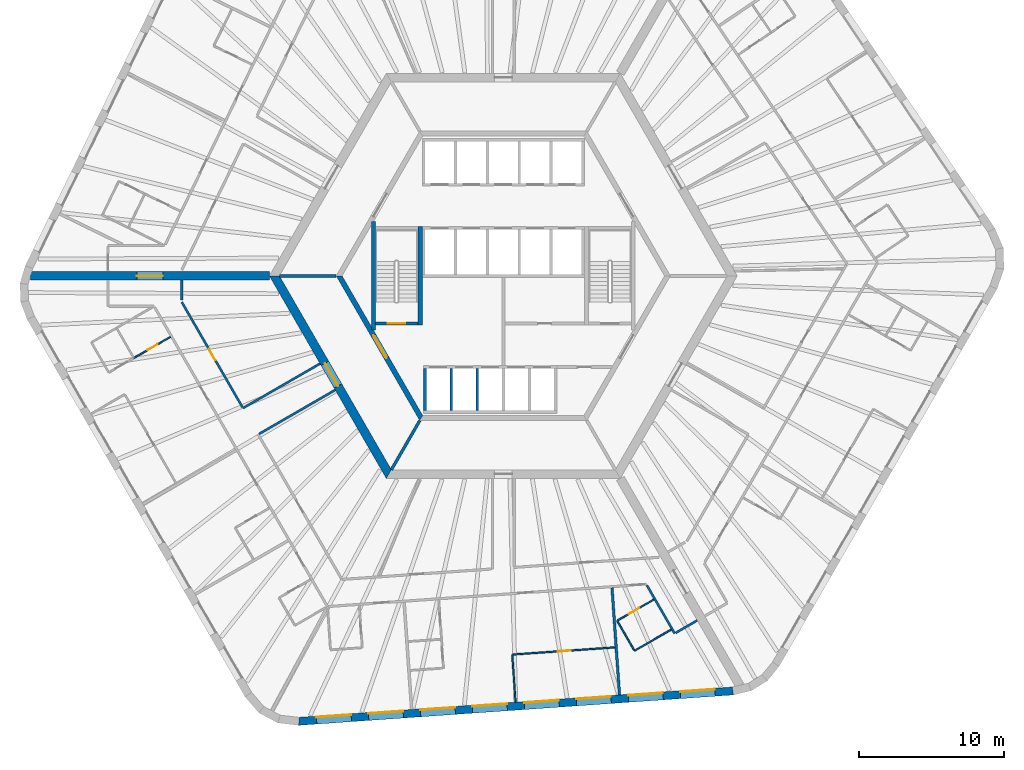
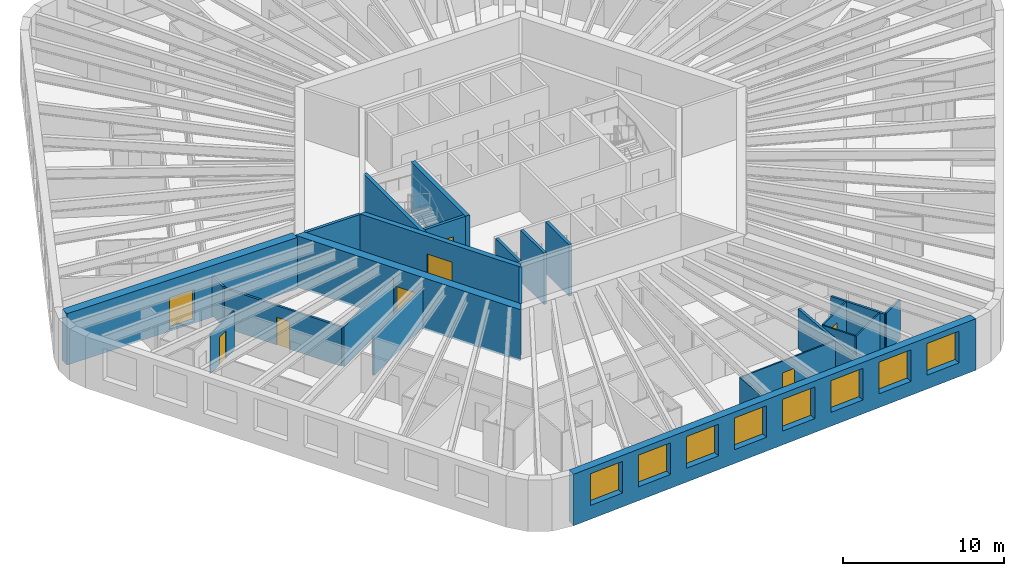
# One storey, part 4 of 12: 25 walls, 8 doors, 8 windows, 16 openings.
"""IFC4 building model written with IfcOpenShell, lengths in metres."""

import ifcopenshell
import ifcopenshell.guid

model = None  # the IFC model being written
_history = None  # IfcOwnerHistory: only IFC2X3 demands one
_inside = {}  # id of a spatial element -> (the spatial element, [elements in it])
_under = {}  # id of a project, library or spatial element -> (it, [spatial elements below it])
_declared = {}  # id of a project -> (the project, [libraries it declares])
_typed = {}  # id of a type object -> (the type object, [elements of that type])
_made_of = {}  # id of a material, layer set ... -> (it, [elements and type objects made of it])


def new_model(schema):
    """Start an empty IFC model of exactly this schema.

    Asked for "IFC4X3", IfcOpenShell would pick the latest addendum, in which some entities
    have other attributes; the version numbers below select the first issue.
    IFC2X3 requires an IfcOwnerHistory on every rooted entity: one is made here for all.
    """
    global model, _history
    if schema == "IFC4X3":
        model = ifcopenshell.file(schema_version=(4, 3, 0, 0))
    else:
        model = ifcopenshell.file(schema=schema)
    _inside.clear()
    _under.clear()
    _declared.clear()
    _typed.clear()
    _made_of.clear()
    _history = None
    if model.schema == "IFC2X3":
        org = make("IfcOrganization", Name="unknown")
        user = make(
            "IfcPersonAndOrganization",
            ThePerson=make("IfcPerson", FamilyName="unknown"),
            TheOrganization=org,
        )
        app = make(
            "IfcApplication",
            ApplicationDeveloper=org,
            Version="unknown",
            ApplicationFullName="unknown",
            ApplicationIdentifier="unknown",
        )
        _history = make(
            "IfcOwnerHistory",
            OwningUser=user,
            OwningApplication=app,
            ChangeAction="ADDED",
            CreationDate=0,
        )
    return model


def make(cls, **values):
    """One entity of the class cls with the attributes given. An attribute that is None is left unset."""
    return model.create_entity(
        cls, **{name: value for name, value in values.items() if value is not None}
    )


def rooted(cls, **values):
    """An entity with a GlobalId (a new one), such as an element, a storey or a relation."""
    return make(cls, GlobalId=ifcopenshell.guid.new(), OwnerHistory=_history, **values)


def si_unit(unit_type, name, prefix=None):
    """IfcSIUnit, for example si_unit("LENGTHUNIT", "METRE", prefix="MILLI")."""
    return make("IfcSIUnit", UnitType=unit_type, Prefix=prefix, Name=name)


def assignment(units):
    """IfcUnitAssignment: the units of a project."""
    return None if units is None else make("IfcUnitAssignment", Units=units)


def point(xyz):
    """IfcCartesianPoint."""
    return None if xyz is None else make("IfcCartesianPoint", Coordinates=xyz)


def direction(xyz):
    """IfcDirection."""
    return None if xyz is None else make("IfcDirection", DirectionRatios=xyz)


def frame(location, z_axis=None, x_axis=None):
    """IfcAxis2Placement3D, a coordinate frame: its origin and axes. An axis left out is left unset."""
    return make(
        "IfcAxis2Placement3D",
        Location=point(location),
        Axis=direction(z_axis),
        RefDirection=direction(x_axis),
    )


def frame_2d(location, x_axis=None):
    """IfcAxis2Placement2D, a coordinate frame in the plane: its origin and x axis."""
    return make(
        "IfcAxis2Placement2D", Location=point(location), RefDirection=direction(x_axis)
    )


def origin():
    """The frame at (0, 0, 0) with its axes left unset."""
    return frame((0.0, 0.0, 0.0))


def place(relative_to, where):
    """IfcLocalPlacement: puts the frame where relative to a parent placement (None: the world)."""
    return make(
        "IfcLocalPlacement", PlacementRelTo=relative_to, RelativePlacement=where
    )


def context(
    kind, dimensions, precision=None, world=None, true_north=None, identifier=None
):
    """IfcGeometricRepresentationContext, for example the 3D "Model" context."""
    return make(
        "IfcGeometricRepresentationContext",
        ContextIdentifier=identifier,
        ContextType=kind,
        CoordinateSpaceDimension=dimensions,
        Precision=precision,
        WorldCoordinateSystem=world,
        TrueNorth=true_north,
    )


def subcontext(parent, identifier, kind, view, scale=None):
    """IfcGeometricRepresentationSubContext, for example "Body" below "Model"."""
    return make(
        "IfcGeometricRepresentationSubContext",
        ContextIdentifier=identifier,
        ContextType=kind,
        ParentContext=parent,
        TargetScale=scale,
        TargetView=view,
    )


def project(units=None, contexts=None):
    """IfcProject with its units and contexts."""
    return rooted(
        "IfcProject",
        Name="project",
        RepresentationContexts=contexts,
        UnitsInContext=assignment(units),
    )


def spatial(cls, under=None, at=None, **own):
    """A site, building, storey or space (cls), placed at a placement, below another one or the project."""
    s = rooted(cls, ObjectPlacement=at, **own)
    if under is not None:
        _under.setdefault(under.id(), (under, []))[1].append(s)
    return s


def polyline(points):
    """IfcPolyline through the points."""
    return make("IfcPolyline", Points=[point(p) for p in points])


def profile(cls, at=None, kind="AREA", **sizes):
    """A parametric profile (cls). Its sizes go by their IFC names, for example OverallWidth=200.0."""
    return make(cls, ProfileType=kind, Position=at, **sizes)


def rectangle(**sizes):
    """IfcRectangleProfileDef."""
    return profile("IfcRectangleProfileDef", **sizes)


def outline(outer, holes=None, kind="AREA"):
    """IfcArbitraryClosedProfileDef: a profile drawn as a closed curve; with holes, ...WithVoids."""
    if holes is None:
        return make("IfcArbitraryClosedProfileDef", ProfileType=kind, OuterCurve=outer)
    return make(
        "IfcArbitraryProfileDefWithVoids",
        ProfileType=kind,
        OuterCurve=outer,
        InnerCurves=holes,
    )


def extrude(swept, where, along, depth):
    """IfcExtrudedAreaSolid: the profile swept, set in the frame where, extruded along a direction by depth."""
    return make(
        "IfcExtrudedAreaSolid",
        SweptArea=swept,
        Position=where,
        ExtrudedDirection=direction(along),
        Depth=depth,
    )


def shape(context_of_items, identifier, shape_type, items):
    """IfcShapeRepresentation: the items that make up one representation, for example the "Body"."""
    return make(
        "IfcShapeRepresentation",
        ContextOfItems=context_of_items,
        RepresentationIdentifier=identifier,
        RepresentationType=shape_type,
        Items=items,
    )


def material(Name=None, Category=None):
    """IfcMaterial."""
    return make("IfcMaterial", Name=Name, Category=Category)


def layer(
    of_material, thickness, ventilated=None, Name=None, Category=None, Priority=None
):
    """IfcMaterialLayer: one layer of a wall or slab, of a material (None: an air gap)."""
    return make(
        "IfcMaterialLayer",
        Material=of_material,
        LayerThickness=thickness,
        IsVentilated=ventilated,
        Name=Name,
        Category=Category,
        Priority=Priority,
    )


def layer_set(layers, Name=None):
    """IfcMaterialLayerSet."""
    return make("IfcMaterialLayerSet", MaterialLayers=layers, LayerSetName=Name)


def made_of(thing, what):
    """Note that an element or type object is made of a material, layer set ...; save() writes the relation."""
    if what is not None:
        _made_of.setdefault(what.id(), (what, []))[1].append(thing)
    return thing


def type_object(cls, material=None, **own):
    """A type object (cls), such as IfcWallType, which elements share."""
    return made_of(rooted(cls, **own), material)


def element(
    cls,
    number,
    at=None,
    inside=None,
    cuts=None,
    type_object=None,
    material=None,
    context=None,
    identifier="Body",
    shape_type=None,
    held_by="IfcProductDefinitionShape",
    body=None,
    shapes=None,
    **own,
):
    """One element of the class cls, such as IfcWall. Its Tag is "e" and its number.

    at: its placement. inside: the storey or other place that contains it. cuts: it is an
    opening in that element (IfcRelVoidsElement). A single representation is given by context,
    identifier, shape_type and body (its items); several are given by shapes. held_by: the class
    of the entity that holds the representations. save() writes the other relations.
    """
    e = rooted(cls, Tag="e%d" % number, ObjectPlacement=at, **own)
    if body is not None:
        shapes = [shape(context, identifier, shape_type, body)]
    if shapes is not None:
        e.Representation = make(held_by, Representations=shapes)
    if inside is not None:
        _inside.setdefault(inside.id(), (inside, []))[1].append(e)
    if cuts is not None:
        rooted(
            "IfcRelVoidsElement", RelatingBuildingElement=cuts, RelatedOpeningElement=e
        )
    if type_object is not None:
        _typed.setdefault(type_object.id(), (type_object, []))[1].append(e)
    return made_of(e, material)


def fill(opening, filler):
    """IfcRelFillsElement: the door or window that sits in an opening."""
    return rooted(
        "IfcRelFillsElement",
        RelatingOpeningElement=opening,
        RelatedBuildingElement=filler,
    )


def aggregate(whole, parts):
    """IfcRelAggregates: a whole, such as a stair, and the parts it consists of."""
    return rooted("IfcRelAggregates", RelatingObject=whole, RelatedObjects=parts)


def save(model, path):
    """Write the relations noted so far, then the file.

    IfcRelAggregates (storeys below a building ...), IfcRelContainedInSpatialStructure (elements
    in a storey), IfcRelDefinesByType, IfcRelAssociatesMaterial and IfcRelDeclares: one each for
    every whole, place, type object, material and project.
    """
    for whole, parts in _under.values():
        aggregate(whole, parts)
    for where, things in _inside.values():
        rooted(
            "IfcRelContainedInSpatialStructure",
            RelatedElements=things,
            RelatingStructure=where,
        )
    for kind, things in _typed.values():
        rooted("IfcRelDefinesByType", RelatedObjects=things, RelatingType=kind)
    for what, things in _made_of.values():
        rooted("IfcRelAssociatesMaterial", RelatedObjects=things, RelatingMaterial=what)
    for by, libraries in _declared.values():
        rooted("IfcRelDeclares", RelatingContext=by, RelatedDefinitions=libraries)
    model.write(path)


model = new_model("IFC4")

# Units and contexts
model_context = context("Model", 3, precision=1e-05, world=origin(), true_north=direction((0.0, 1.0)))
body_context = subcontext(model_context, "Body", "Model", "MODEL_VIEW")
ifc_project = project(units=[si_unit("LENGTHUNIT", "METRE"), si_unit("AREAUNIT", "SQUARE_METRE"), si_unit("VOLUMEUNIT", "CUBIC_METRE"), si_unit("PLANEANGLEUNIT", "RADIAN"), si_unit("MASSUNIT", "GRAM", prefix="KILO")], contexts=[model_context])

# Site, building, storey
site_placement = place(None, origin())
site = spatial("IfcSite", under=ifc_project, at=site_placement, CompositionType="ELEMENT")
building_placement = place(site_placement, origin())
building = spatial("IfcBuilding", under=site, at=building_placement, Name="Tarnside Tower", CompositionType="ELEMENT")
storey_placement = place(building_placement, frame((0.0, 0.0, 131.10009765625)))
storey = spatial("IfcBuildingStorey", under=building, at=storey_placement, Name="L30", CompositionType="ELEMENT", Elevation=131.10009765625)

# Wall, opening, door
ifc_material_1 = material(Name="Gypsum board partition on steel studs", Category="steel")
ifc_layer_1 = layer(ifc_material_1, 0.10009765625)
ifc_layer_set_1 = layer_set([ifc_layer_1], Name="Bathroom wall 100")
wall_type_1 = type_object("IfcWallType", Name="Bathroom wall 100", PredefinedType="PARTITIONING", material=ifc_layer_set_1)
wall_1_placement = place(storey_placement, frame((-22.998291015625, -4.216064453125, 0.0), z_axis=(0.0, 0.0, 1.0), x_axis=(-0.866025730634, -0.499999433879, 0.0)))
wall_1 = element("IfcWall", 1, at=wall_1_placement, inside=storey, type_object=wall_type_1, Name="Bathroom wall 09109", PredefinedType="PARTITIONING", context=body_context, shape_type="SweptSolid", body=[
    extrude(rectangle(XDim=2.9248046875, YDim=0.10009765625, at=frame_2d((1.46240234375, 0.0))), origin(), (0.0, 0.0, 1.0), 2.98779296875),
])
opening_1_placement = place(wall_1_placement, frame((1.02490234375, 0.0, 0.0)))
opening_1 = element("IfcOpeningElement", 2, at=opening_1_placement, cuts=wall_1, Name="Opening D-B1", PredefinedType="OPENING", context=body_context, shape_type="SweptSolid", body=[
    extrude(rectangle(XDim=0.800048828125, YDim=2.10009765625, at=frame_2d((0.39990234375, 1.050048828125))), frame((0.0, 0.06005859375, 0.0), z_axis=(0.0, -1.0, 0.0), x_axis=(1.0, 0.0, 0.0)), (0.0, 0.0, 1.0), 0.1201171875),
])
ifc_material_2 = material(Name="Timber door leaf", Category="wood")
door_type_1 = type_object("IfcDoorType", Name="Bathroom door 800", OperationType="NOTDEFINED", PredefinedType="DOOR", material=ifc_material_2)
door_1_placement = place(opening_1_placement, origin())
door_1 = element("IfcDoor", 3, at=door_1_placement, inside=storey, type_object=door_type_1, Name="Bathroom door 09016", OperationType="SINGLE_SWING_RIGHT", OverallHeight=2.10009765625, OverallWidth=0.800048828125, PredefinedType="DOOR", context=body_context, shape_type="SweptSolid", body=[
    extrude(rectangle(XDim=0.800048828125, YDim=2.10009765625, at=frame_2d((0.39990234375, 1.050048828125))), frame((0.0, 0.02490234375, 0.0), z_axis=(0.0, -1.0, 0.0), x_axis=(1.0, 0.0, 0.0)), (0.0, 0.0, 1.0), 0.050048828125),
])
fill(opening_1, door_1)

# Walls
wall_2_placement = place(storey_placement, frame((11.6015625, -24.444580078125, 0.0), z_axis=(0.0, 0.0, 1.0), x_axis=(-0.866046596414, -0.499963291492, 0.0)))
element("IfcWall", 4, at=wall_2_placement, inside=storey, type_object=wall_type_1, Name="Bathroom wall 09140", PredefinedType="PARTITIONING", context=body_context, shape_type="SweptSolid", body=[
    extrude(rectangle(XDim=2.925048828125, YDim=0.10009765625, at=frame_2d((1.46240234375, 0.0))), origin(), (0.0, 0.0, 1.0), 2.98779296875),
])
wall_3_placement = place(storey_placement, frame((9.04345703125, -25.86376953125, 0.0), z_axis=(0.0, 0.0, 1.0), x_axis=(-0.500016218704, 0.866016039709, 0.0)))
element("IfcWall", 5, at=wall_3_placement, inside=storey, type_object=wall_type_1, Name="Bathroom wall 09141", PredefinedType="PARTITIONING", context=body_context, shape_type="SweptSolid", body=[
    extrude(rectangle(XDim=2.35009765625, YDim=0.10009765625, at=frame_2d((1.175048828125, 0.0))), origin(), (0.0, 0.0, 1.0), 2.98779296875),
])

# Wall, opening, door
wall_4_placement = place(storey_placement, frame((7.91162109375, -23.803466796875, 0.0), z_axis=(0.0, 0.0, 1.0), x_axis=(0.866039941686, 0.499974818771, 0.0)))
wall_4 = element("IfcWall", 6, at=wall_4_placement, inside=storey, type_object=wall_type_1, Name="Bathroom wall 09142", PredefinedType="PARTITIONING", context=body_context, shape_type="SweptSolid", body=[
    extrude(rectangle(XDim=2.875244140625, YDim=0.10009765625, at=frame_2d((1.4375, 0.0))), origin(), (0.0, 0.0, 1.0), 2.98779296875),
])
opening_2_placement = place(wall_4_placement, frame((0.89990234375, 0.0, 0.0)))
opening_2 = element("IfcOpeningElement", 7, at=opening_2_placement, cuts=wall_4, Name="Opening D-B1", PredefinedType="OPENING", context=body_context, shape_type="SweptSolid", body=[
    extrude(rectangle(XDim=0.800048828125, YDim=2.10009765625, at=frame_2d((0.39990234375, 1.050048828125))), frame((0.0, 0.06005859375, 0.0), z_axis=(0.0, -1.0, 0.0), x_axis=(1.0, 0.0, 0.0)), (0.0, 0.0, 1.0), 0.1201171875),
])
door_2_placement = place(opening_2_placement, origin())
door_2 = element("IfcDoor", 8, at=door_2_placement, inside=storey, type_object=door_type_1, Name="Bathroom door 09030", OperationType="SINGLE_SWING_RIGHT", OverallHeight=2.10009765625, OverallWidth=0.800048828125, PredefinedType="DOOR", context=body_context, shape_type="SweptSolid", body=[
    extrude(rectangle(XDim=0.800048828125, YDim=2.10009765625, at=frame_2d((0.39990234375, 1.050048828125))), frame((0.0, 0.02490234375, 0.0), z_axis=(0.0, -1.0, 0.0), x_axis=(1.0, 0.0, 0.0)), (0.0, 0.0, 1.0), 0.050048828125),
])
fill(opening_2, door_2)

ifc_material_3 = material(Name="Concrete C50/60", Category="concrete")
ifc_layer_2 = layer(ifc_material_3, 0.35009765625)
ifc_layer_set_2 = layer_set([ifc_layer_2], Name="Core block wall 350 C50/60")
wall_type_2 = type_object("IfcWallType", Name="Core block wall 350 C50/60", PredefinedType="SHEAR", material=ifc_layer_set_2)
wall_5_placement = place(storey_placement, frame((-11.344970703125, 0.0, -0.150146484375), z_axis=(0.0, 0.0, 1.0), x_axis=(0.499995046907, -0.866028263435, 0.0)))
wall_5 = element("IfcWall", 9, at=wall_5_placement, inside=storey, type_object=wall_type_2, Name="L30 core block wall face 3", PredefinedType="SHEAR", context=body_context, shape_type="SweptSolid", body=[
    extrude(outline(polyline([(-0.10107421875, -0.175048828125), (11.44580078125, -0.175048828125), (11.24365234375, 0.175048828125), (0.10107421875, 0.175048828125), (-0.10107421875, -0.175048828125)])), origin(), (0.0, 0.0, 1.0), 3.900146484375),
])
opening_3_placement = place(wall_5_placement, frame((4.74365234375, 0.0, 0.14990234375)))
opening_3 = element("IfcOpeningElement", 10, at=opening_3_placement, cuts=wall_5, Name="Opening CD-FFL", PredefinedType="OPENING", context=body_context, shape_type="SweptSolid", body=[
    extrude(rectangle(XDim=1.800048828125, YDim=2.39990234375, at=frame_2d((0.89990234375, 1.199951171875))), frame((0.0, 0.18505859375, 0.0), z_axis=(0.0, -1.0, 0.0), x_axis=(1.0, 0.0, 0.0)), (0.0, 0.0, 1.0), 0.3701171875),
])
ifc_material_4 = material(Name="Steel fire door", Category="steel")
door_type_2 = type_object("IfcDoorType", Name="Firefighting lobby double door FD60S 1800x2400", OperationType="NOTDEFINED", PredefinedType="DOOR", material=ifc_material_4)
door_3_placement = place(opening_3_placement, origin())
door_3 = element("IfcDoor", 11, at=door_3_placement, inside=storey, type_object=door_type_2, Name="L30 lobby block door P3", OperationType="DOUBLE_DOOR_SINGLE_SWING", OverallHeight=2.39990234375, OverallWidth=1.800048828125, PredefinedType="DOOR", context=body_context, shape_type="SweptSolid", body=[
    extrude(rectangle(XDim=1.800048828125, YDim=2.39990234375, at=frame_2d((0.89990234375, 1.199951171875))), frame((0.0, 0.02490234375, 0.0), z_axis=(0.0, -1.0, 0.0), x_axis=(1.0, 0.0, 0.0)), (0.0, 0.0, 1.0), 0.050048828125),
])
fill(opening_3, door_3)

ifc_material_5 = material(Name="Concrete C80/95", Category="concrete")
ifc_layer_3 = layer(ifc_material_5, 0.60009765625)
ifc_layer_set_3 = layer_set([ifc_layer_3], Name="Core wall Z1 600 C80/95")
wall_type_3 = type_object("IfcWallType", Name="Core wall Z1 600 C80/95", PredefinedType="SHEAR", material=ifc_layer_set_3)
wall_6_placement = place(storey_placement, frame((-15.8193359375, 0.0, -0.150146484375), z_axis=(0.0, 0.0, 1.0), x_axis=(0.499999880136, -0.866025472988, 0.0)))
wall_6 = element("IfcWall", 12, at=wall_6_placement, inside=storey, type_object=wall_type_3, Name="L30 core wall face 3", PredefinedType="SHEAR", context=body_context, shape_type="SweptSolid", body=[
    extrude(outline(polyline([(-0.17333984375, -0.300048828125), (15.99267578125, -0.300048828125), (15.64599609375, 0.300048828125), (0.17333984375, 0.300048828125), (-0.17333984375, -0.300048828125)])), origin(), (0.0, 0.0, 1.0), 3.900146484375),
])
opening_4_placement = place(wall_6_placement, frame((6.980712890625, 0.0, 0.14990234375)))
opening_4 = element("IfcOpeningElement", 13, at=opening_4_placement, cuts=wall_6, Name="Opening CD-FFL", PredefinedType="OPENING", context=body_context, shape_type="SweptSolid", body=[
    extrude(rectangle(XDim=1.800048828125, YDim=2.39990234375, at=frame_2d((0.89990234375, 1.199951171875))), frame((0.0, 0.31005859375, 0.0), z_axis=(0.0, -1.0, 0.0), x_axis=(1.0, 0.0, 0.0)), (0.0, 0.0, 1.0), 0.6201171875),
])
door_4_placement = place(opening_4_placement, origin())
door_4 = element("IfcDoor", 14, at=door_4_placement, inside=storey, type_object=door_type_2, Name="L30 core door P3", OperationType="DOUBLE_DOOR_SINGLE_SWING", OverallHeight=2.39990234375, OverallWidth=1.800048828125, PredefinedType="DOOR", context=body_context, shape_type="SweptSolid", body=[
    extrude(rectangle(XDim=1.800048828125, YDim=2.39990234375, at=frame_2d((0.89990234375, 1.199951171875))), frame((0.0, 0.02490234375, 0.0), z_axis=(0.0, -1.0, 0.0), x_axis=(1.0, 0.0, 0.0)), (0.0, 0.0, 1.0), 0.050048828125),
])
fill(opening_4, door_4)

wall_7_placement = place(storey_placement, frame((-16.165771484375, 0.0, -0.150146484375), z_axis=(0.0, 0.0, 1.0), x_axis=(-1.0, 0.0, 0.0)))
wall_7 = element("IfcWall", 15, at=wall_7_placement, inside=storey, type_object=wall_type_3, Name="L30 spine wall 2", PredefinedType="SHEAR", context=body_context, shape_type="SweptSolid", body=[
    extrude(rectangle(XDim=16.509033203125, YDim=0.60009765625, at=frame_2d((8.25439453125, 0.0))), origin(), (0.0, 0.0, 1.0), 3.900146484375),
])
opening_5_placement = place(wall_7_placement, frame((7.3544921875, 0.0, 0.14990234375)))
opening_5 = element("IfcOpeningElement", 16, at=opening_5_placement, cuts=wall_7, Name="Opening CD-SPN", PredefinedType="OPENING", context=body_context, shape_type="SweptSolid", body=[
    extrude(rectangle(XDim=1.800048828125, YDim=2.39990234375, at=frame_2d((0.89990234375, 1.199951171875))), frame((0.0, 0.31005859375, 0.0), z_axis=(0.0, -1.0, 0.0), x_axis=(1.0, 0.0, 0.0)), (0.0, 0.0, 1.0), 0.6201171875),
])
door_type_3 = type_object("IfcDoorType", Name="Spine passage double door FD60 1800x2400", OperationType="NOTDEFINED", PredefinedType="DOOR", material=ifc_material_4)
door_5_placement = place(opening_5_placement, origin())
door_5 = element("IfcDoor", 17, at=door_5_placement, inside=storey, type_object=door_type_3, Name="L30 spine passage door 2", OperationType="DOUBLE_DOOR_SINGLE_SWING", OverallHeight=2.39990234375, OverallWidth=1.800048828125, PredefinedType="DOOR", context=body_context, shape_type="SweptSolid", body=[
    extrude(rectangle(XDim=1.800048828125, YDim=2.39990234375, at=frame_2d((0.89990234375, 1.199951171875))), frame((0.0, 0.02490234375, 0.0), z_axis=(0.0, -1.0, 0.0), x_axis=(1.0, 0.0, 0.0)), (0.0, 0.0, 1.0), 0.050048828125),
])
fill(opening_5, door_5)

# Walls
ifc_layer_4 = layer(ifc_material_1, 0.14990234375)
ifc_layer_set_4 = layer_set([ifc_layer_4], Name="Corridor wall 150 EI 60")
wall_type_4 = type_object("IfcWallType", Name="Corridor wall 150 EI 60", PredefinedType="PARTITIONING", material=ifc_layer_set_4)
wall_8_placement = place(storey_placement, frame((9.921875, -21.385009765625, 0.0), z_axis=(0.0, 0.0, 1.0), x_axis=(0.500003180287, -0.866023567637, 0.0)))
element("IfcWall", 18, at=wall_8_placement, inside=storey, type_object=wall_type_4, Name="Corridor wall 09040", PredefinedType="PARTITIONING", context=body_context, shape_type="SweptSolid", body=[
    extrude(rectangle(XDim=3.83935546875, YDim=0.14990234375, at=frame_2d((1.919677734375, 0.0))), origin(), (0.0, 0.0, 1.0), 2.98779296875),
])
wall_9_placement = place(storey_placement, frame((11.906494140625, -24.672607421875, 0.0), z_axis=(0.0, 0.0, 1.0), x_axis=(0.866013532718, 0.500020560727, 0.0)))
element("IfcWall", 19, at=wall_9_placement, inside=storey, type_object=wall_type_4, Name="Corridor wall 09042", PredefinedType="PARTITIONING", context=body_context, shape_type="SweptSolid", body=[
    extrude(rectangle(XDim=1.72509765625, YDim=0.14990234375, at=frame_2d((0.862548828125, 0.0))), origin(), (0.0, 0.0, 1.0), 2.98779296875),
])
wall_10_placement = place(storey_placement, frame((-12.663818359375, -6.065673828125, 0.0), z_axis=(0.0, 0.0, 1.0), x_axis=(-0.866023618125, -0.500003092839, 0.0)))
element("IfcWall", 20, at=wall_10_placement, inside=storey, type_object=wall_type_4, Name="Corridor wall 09044", PredefinedType="PARTITIONING", context=body_context, shape_type="SweptSolid", body=[
    extrude(rectangle(XDim=6.14990234375, YDim=0.14990234375, at=frame_2d((3.074951171875, 0.0))), origin(), (0.0, 0.0, 1.0), 2.98779296875),
])

# Wall, opening, door
wall_11_placement = place(storey_placement, frame((-18.02734375, -9.07568359375, 0.0), z_axis=(0.0, 0.0, 1.0), x_axis=(-0.500007318041, 0.86602117867, 0.0)))
wall_11 = element("IfcWall", 21, at=wall_11_placement, inside=storey, type_object=wall_type_4, Name="Corridor wall 09045", PredefinedType="PARTITIONING", context=body_context, shape_type="SweptSolid", body=[
    extrude(rectangle(XDim=8.383056640625, YDim=0.14990234375, at=frame_2d((4.19140625, 0.0))), origin(), (0.0, 0.0, 1.0), 2.98779296875),
])
opening_6_placement = place(wall_11_placement, frame((3.74169921875, 0.0, 0.0)))
opening_6 = element("IfcOpeningElement", 22, at=opening_6_placement, cuts=wall_11, Name="Opening D-S1", PredefinedType="OPENING", context=body_context, shape_type="SweptSolid", body=[
    extrude(rectangle(XDim=0.89990234375, YDim=2.10009765625, at=frame_2d((0.449951171875, 1.050048828125))), frame((0.0, 0.0849609375, 0.0), z_axis=(0.0, -1.0, 0.0), x_axis=(1.0, 0.0, 0.0)), (0.0, 0.0, 1.0), 0.169921875),
])
door_type_4 = type_object("IfcDoorType", Name="Service room door 900 FD30S", OperationType="NOTDEFINED", PredefinedType="DOOR", material=ifc_material_2)
door_6_placement = place(opening_6_placement, origin())
door_6 = element("IfcDoor", 23, at=door_6_placement, inside=storey, type_object=door_type_4, Name="Service door 09049", OperationType="SINGLE_SWING_RIGHT", OverallHeight=2.10009765625, OverallWidth=0.89990234375, PredefinedType="DOOR", context=body_context, shape_type="SweptSolid", body=[
    extrude(rectangle(XDim=0.89990234375, YDim=2.10009765625, at=frame_2d((0.449951171875, 1.050048828125))), frame((0.0, 0.02490234375, 0.0), z_axis=(0.0, -1.0, 0.0), x_axis=(1.0, 0.0, 0.0)), (0.0, 0.0, 1.0), 0.050048828125),
])
fill(opening_6, door_6)

# Walls
wall_12_placement = place(storey_placement, frame((-22.218994140625, -1.665771484375, 0.0), z_axis=(0.0, 0.0, 1.0), x_axis=(0.0, 1.0, 0.0)))
element("IfcWall", 24, at=wall_12_placement, inside=storey, type_object=wall_type_4, Name="Corridor wall 09046", PredefinedType="PARTITIONING", context=body_context, shape_type="SweptSolid", body=[
    extrude(rectangle(XDim=1.36572265625, YDim=0.14990234375, at=frame_2d((0.682861328125, 0.0))), origin(), (0.0, 0.0, 1.0), 2.98779296875),
])
wall_13_placement = place(storey_placement, frame((-16.875, -10.921875, 0.0), z_axis=(0.0, 0.0, 1.0), x_axis=(0.866023634079, 0.500003065207, 0.0)))
element("IfcWall", 25, at=wall_13_placement, inside=storey, type_object=wall_type_4, Name="Corridor wall 09051", PredefinedType="PARTITIONING", context=body_context, shape_type="SweptSolid", body=[
    extrude(rectangle(XDim=6.0751953125, YDim=0.14990234375, at=frame_2d((3.03759765625, 0.0))), origin(), (0.0, 0.0, 1.0), 2.98779296875),
])
ifc_layer_5 = layer(ifc_material_1, 0.179931640625)
ifc_layer_set_5 = layer_set([ifc_layer_5], Name="Demising wall 180 EI 60")
wall_type_5 = type_object("IfcWallType", Name="Demising wall 180 EI 60", PredefinedType="PARTITIONING", material=ifc_layer_set_5)
wall_14_placement = place(storey_placement, frame((8.028564453125, -28.96044921875, 0.0), z_axis=(0.0, 0.0, 1.0), x_axis=(-0.069739801019, 0.99756521599, 0.0)))
element("IfcWall", 26, at=wall_14_placement, inside=storey, type_object=wall_type_5, Name="Demising wall 09137", PredefinedType="PARTITIONING", context=body_context, shape_type="SweptSolid", body=[
    extrude(rectangle(XDim=7.425048828125, YDim=0.179931640625, at=frame_2d((3.71240234375, 0.0))), origin(), (0.0, 0.0, 1.0), 2.98779296875),
])
ifc_material_6 = material(Name="Concrete C40/50", Category="concrete")
ifc_layer_6 = layer(ifc_material_6, 0.199951171875)
ifc_layer_set_6 = layer_set([ifc_layer_6], Name="Lift shaft wall 200 C40/50")
wall_type_6 = type_object("IfcWallType", Name="Lift shaft wall 200 C40/50", PredefinedType="SHEAR", material=ifc_layer_set_6)
for number, where, z_axis, x_axis, name in (
    (27, (-5.39990234375, -9.300048828125, -0.25), (0.0, 0.0, 1.0), (0.0, 1.0, 0.0), "L30 lift shaft partition R41"),
    (28, (-3.60009765625, -9.300048828125, -0.25), (0.0, 0.0, 1.0), (0.0, 1.0, 0.0), "L30 lift shaft partition R42"),
    (29, (-1.800048828125, -9.300048828125, -0.25), (0.0, 0.0, 1.0), (0.0, 1.0, 0.0), "L30 lift shaft partition R43"),
):
    element("IfcWall", number, at=place(storey_placement, frame(where, z_axis=z_axis, x_axis=x_axis)), inside=storey, type_object=wall_type_6, Name=name, PredefinedType="SHEAR", context=body_context, shape_type="SweptSolid", body=[
        extrude(rectangle(XDim=2.900146484375, YDim=0.199951171875, at=frame_2d((1.4501953125, 0.0))), origin(), (0.0, 0.0, 1.0), 3.89990234375),
    ])
wall_15_placement = place(storey_placement, frame((-11.547119140625, 0.0, -0.150146484375), z_axis=(0.0, 0.0, 1.0), x_axis=(-1.0, 0.0, 0.0)))
element("IfcWall", 30, at=wall_15_placement, inside=storey, type_object=wall_type_6, Name="L30 core partition AR180", PredefinedType="SHEAR", context=body_context, shape_type="SweptSolid", body=[
    extrude(rectangle(XDim=3.92578125, YDim=0.199951171875, at=frame_2d((1.962890625, 0.0))), origin(), (0.0, 0.0, 1.0), 3.900146484375),
])
wall_16_placement = place(storey_placement, frame((-5.7734375, -10.0, -0.150146484375), z_axis=(0.0, 0.0, 1.0), x_axis=(-0.500038251005, -0.86600331843, 0.0)))
element("IfcWall", 31, at=wall_16_placement, inside=storey, type_object=wall_type_6, Name="L30 core partition AR240", PredefinedType="SHEAR", context=body_context, shape_type="SweptSolid", body=[
    extrude(rectangle(XDim=3.926025390625, YDim=0.199951171875, at=frame_2d((1.962890625, 0.0))), origin(), (0.0, 0.0, 1.0), 3.900146484375),
])

# Wall, opening, door
wall_17_placement = place(storey_placement, frame((-8.85009765625, -3.300048828125, -0.25), z_axis=(0.0, 0.0, 1.0), x_axis=(1.0, 0.0, 0.0)))
wall_17 = element("IfcWall", 32, at=wall_17_placement, inside=storey, type_object=wall_type_6, Name="L30 stair 2 enclosure cap wall s", PredefinedType="SHEAR", context=body_context, shape_type="SweptSolid", body=[
    extrude(rectangle(XDim=2.9501953125, YDim=0.199951171875, at=frame_2d((1.47509765625, 0.0))), origin(), (0.0, 0.0, 1.0), 3.89990234375),
])
opening_7_placement = place(wall_17_placement, frame((0.875, 0.0, 0.25)))
opening_7 = element("IfcOpeningElement", 33, at=opening_7_placement, cuts=wall_17, Name="Opening CD-STR", PredefinedType="OPENING", context=body_context, shape_type="SweptSolid", body=[
    extrude(rectangle(XDim=1.199951171875, YDim=2.39990234375, at=frame_2d((0.60009765625, 1.199951171875))), frame((0.0, 0.10986328125, 0.0), z_axis=(0.0, -1.0, 0.0), x_axis=(1.0, 0.0, 0.0)), (0.0, 0.0, 1.0), 0.219970703125),
])
door_type_5 = type_object("IfcDoorType", Name="Stair door FD60S 1200x2400", OperationType="NOTDEFINED", PredefinedType="DOOR", material=ifc_material_4)
door_7_placement = place(opening_7_placement, origin())
door_7 = element("IfcDoor", 34, at=door_7_placement, inside=storey, type_object=door_type_5, Name="L30 stair 2 door", OperationType="SINGLE_SWING_LEFT", OverallHeight=2.39990234375, OverallWidth=1.199951171875, PredefinedType="DOOR", context=body_context, shape_type="SweptSolid", body=[
    extrude(rectangle(XDim=1.199951171875, YDim=2.39990234375, at=frame_2d((0.60009765625, 1.199951171875))), frame((0.0, 0.02490234375, 0.0), z_axis=(0.0, -1.0, 0.0), x_axis=(1.0, 0.0, 0.0)), (0.0, 0.0, 1.0), 0.050048828125),
])
fill(opening_7, door_7)

# Wall
ifc_layer_7 = layer(ifc_material_1, 0.10009765625)
ifc_layer_set_7 = layer_set([ifc_layer_7], Name="Partition 100")
wall_type_7 = type_object("IfcWallType", Name="Partition 100", PredefinedType="PARTITIONING", material=ifc_layer_set_7)
wall_18_placement = place(storey_placement, frame((0.84619140625, -29.462646484375, 0.0), z_axis=(0.0, 0.0, 1.0), x_axis=(-0.069769490542, 0.997563139951, 0.0)))
element("IfcWall", 35, at=wall_18_placement, inside=storey, type_object=wall_type_7, Name="Partition wall 09135", PredefinedType="PARTITIONING", context=body_context, shape_type="SweptSolid", body=[
    extrude(rectangle(XDim=3.2998046875, YDim=0.10009765625, at=frame_2d((1.64990234375, 0.0))), origin(), (0.0, 0.0, 1.0), 2.98779296875),
])

# Wall, opening, door
wall_19_placement = place(storey_placement, frame((0.665771484375, -26.167236328125, 0.0), z_axis=(0.0, 0.0, 1.0), x_axis=(0.997564648601, 0.069747916536, 0.0)))
wall_19 = element("IfcWall", 36, at=wall_19_placement, inside=storey, type_object=wall_type_7, Name="Partition wall 09136", PredefinedType="PARTITIONING", context=body_context, shape_type="SweptSolid", body=[
    extrude(rectangle(XDim=7.06005859375, YDim=0.10009765625, at=frame_2d((3.530029296875, 0.0))), origin(), (0.0, 0.0, 1.0), 2.98779296875),
])
opening_8_placement = place(wall_19_placement, frame((3.10009765625, 0.0, 0.0)))
opening_8 = element("IfcOpeningElement", 37, at=opening_8_placement, cuts=wall_19, Name="Opening D-I1", PredefinedType="OPENING", context=body_context, shape_type="SweptSolid", body=[
    extrude(rectangle(XDim=0.89990234375, YDim=2.10009765625, at=frame_2d((0.449951171875, 1.050048828125))), frame((0.0, 0.06005859375, 0.0), z_axis=(0.0, -1.0, 0.0), x_axis=(1.0, 0.0, 0.0)), (0.0, 0.0, 1.0), 0.1201171875),
])
door_type_6 = type_object("IfcDoorType", Name="Internal door 900", OperationType="NOTDEFINED", PredefinedType="DOOR", material=ifc_material_2)
door_8_placement = place(opening_8_placement, origin())
door_8 = element("IfcDoor", 38, at=door_8_placement, inside=storey, type_object=door_type_6, Name="Internal door 09028", OperationType="SINGLE_SWING_LEFT", OverallHeight=2.10009765625, OverallWidth=0.89990234375, PredefinedType="DOOR", context=body_context, shape_type="SweptSolid", body=[
    extrude(rectangle(XDim=0.89990234375, YDim=2.10009765625, at=frame_2d((0.449951171875, 1.050048828125))), frame((0.0, 0.02490234375, 0.0), z_axis=(0.0, -1.0, 0.0), x_axis=(1.0, 0.0, 0.0)), (0.0, 0.0, 1.0), 0.050048828125),
])
fill(opening_8, door_8)

# Walls
ifc_layer_8 = layer(ifc_material_6, 0.25)
ifc_layer_set_8 = layer_set([ifc_layer_8], Name="Stair enclosure wall 250 C40/50")
wall_type_8 = type_object("IfcWallType", Name="Stair enclosure wall 250 C40/50", PredefinedType="SHEAR", material=ifc_layer_set_8)
wall_20_placement = place(storey_placement, frame((-8.97509765625, -3.7548828125, -0.25), z_axis=(0.0, 0.0, 1.0), x_axis=(0.0, 1.0, 0.0)))
element("IfcWall", 39, at=wall_20_placement, inside=storey, type_object=wall_type_8, Name="L30 stair 2 enclosure wall outer", PredefinedType="SHEAR", context=body_context, shape_type="SweptSolid", body=[
    extrude(rectangle(XDim=7.509765625, YDim=0.25, at=frame_2d((3.7548828125, 0.0))), origin(), (0.0, 0.0, 1.0), 3.89990234375),
])
ifc_layer_9 = layer(ifc_material_6, 0.300048828125)
ifc_layer_set_9 = layer_set([ifc_layer_9], Name="Stair enclosure wall 300 C40/50")
wall_type_9 = type_object("IfcWallType", Name="Stair enclosure wall 300 C40/50", PredefinedType="SHEAR", material=ifc_layer_set_9)
wall_21_placement = place(storey_placement, frame((-5.75, -3.39990234375, -0.25), z_axis=(0.0, 0.0, 1.0), x_axis=(0.0, 1.0, 0.0)))
element("IfcWall", 40, at=wall_21_placement, inside=storey, type_object=wall_type_9, Name="L30 stair 2 enclosure wall inner", PredefinedType="SHEAR", context=body_context, shape_type="SweptSolid", body=[
    extrude(rectangle(XDim=6.7998046875, YDim=0.300048828125, at=frame_2d((3.39990234375, 0.0))), origin(), (0.0, 0.0, 1.0), 3.89990234375),
])

# Wall, openings, windows
ifc_material_7 = material(Name="Facing brick", Category="masonry")
ifc_layer_10 = layer(ifc_material_7, 0.10205078125)
ifc_material_8 = material(Name="Concrete C60/75 precast", Category="concrete")
ifc_layer_11 = layer(ifc_material_8, 0.347900390625)
ifc_material_9 = material(Name="Mineral wool insulation")
ifc_layer_12 = layer(ifc_material_9, 0.10009765625)
ifc_layer_set_10 = layer_set([ifc_layer_10, ifc_layer_11, ifc_layer_12], Name="Tube wall 550 brick faced")
wall_type_10 = type_object("IfcWallType", Name="Tube wall 550 brick faced", PredefinedType="SOLIDWALL", material=ifc_layer_set_10)
wall_22_placement = place(storey_placement, frame((-14.133544921875, -30.785888671875, -0.150146484375), z_axis=(0.0, 0.0, 1.0), x_axis=(0.997564037441, 0.069756657061, 0.0)))
wall_22 = element("IfcWall", 41, at=wall_22_placement, inside=storey, type_object=wall_type_10, Name="Tube wall L30 F4 flush 12", PredefinedType="SOLIDWALL", context=body_context, shape_type="SweptSolid", body=[
    extrude(outline(polyline([(-0.025634765625, -0.27490234375), (30.093505859375, -0.27490234375), (30.048583984375, 0.27490234375), (0.025634765625, 0.27490234375), (-0.025634765625, -0.27490234375)])), origin(), (0.0, 0.0, 1.0), 3.900146484375),
])
opening_9_placement = place(wall_22_placement, frame((1.235595703125, 0.0, 1.050048828125)))
opening_9 = element("IfcOpeningElement", 42, at=opening_9_placement, cuts=wall_22, Name="Opening WH", PredefinedType="OPENING", context=body_context, shape_type="SweptSolid", body=[
    extrude(rectangle(XDim=2.39990234375, YDim=2.39990234375, at=frame_2d((1.199951171875, 1.199951171875))), frame((0.0, 0.28515625, 0.0), z_axis=(0.0, -1.0, 0.0), x_axis=(1.0, 0.0, 0.0)), (0.0, 0.0, 1.0), 0.570068359375),
])
opening_10_placement = place(wall_22_placement, frame((4.83544921875, 0.0, 1.050048828125)))
opening_10 = element("IfcOpeningElement", 43, at=opening_10_placement, cuts=wall_22, Name="Opening WH", PredefinedType="OPENING", context=body_context, shape_type="SweptSolid", body=[
    extrude(rectangle(XDim=2.39990234375, YDim=2.39990234375, at=frame_2d((1.199951171875, 1.199951171875))), frame((0.0, 0.28515625, 0.0), z_axis=(0.0, -1.0, 0.0), x_axis=(1.0, 0.0, 0.0)), (0.0, 0.0, 1.0), 0.570068359375),
])
opening_11_placement = place(wall_22_placement, frame((8.435546875, 0.0, 1.050048828125)))
opening_11 = element("IfcOpeningElement", 44, at=opening_11_placement, cuts=wall_22, Name="Opening WH", PredefinedType="OPENING", context=body_context, shape_type="SweptSolid", body=[
    extrude(rectangle(XDim=2.39990234375, YDim=2.39990234375, at=frame_2d((1.199951171875, 1.199951171875))), frame((0.0, 0.28515625, 0.0), z_axis=(0.0, -1.0, 0.0), x_axis=(1.0, 0.0, 0.0)), (0.0, 0.0, 1.0), 0.570068359375),
])
opening_12_placement = place(wall_22_placement, frame((12.035400390625, 0.0, 1.050048828125)))
opening_12 = element("IfcOpeningElement", 45, at=opening_12_placement, cuts=wall_22, Name="Opening WH", PredefinedType="OPENING", context=body_context, shape_type="SweptSolid", body=[
    extrude(rectangle(XDim=2.39990234375, YDim=2.39990234375, at=frame_2d((1.199951171875, 1.199951171875))), frame((0.0, 0.28515625, 0.0), z_axis=(0.0, -1.0, 0.0), x_axis=(1.0, 0.0, 0.0)), (0.0, 0.0, 1.0), 0.570068359375),
])
opening_13_placement = place(wall_22_placement, frame((15.635498046875, 0.0, 1.050048828125)))
opening_13 = element("IfcOpeningElement", 46, at=opening_13_placement, cuts=wall_22, Name="Opening WH", PredefinedType="OPENING", context=body_context, shape_type="SweptSolid", body=[
    extrude(rectangle(XDim=2.39990234375, YDim=2.39990234375, at=frame_2d((1.199951171875, 1.199951171875))), frame((0.0, 0.28515625, 0.0), z_axis=(0.0, -1.0, 0.0), x_axis=(1.0, 0.0, 0.0)), (0.0, 0.0, 1.0), 0.570068359375),
])
opening_14_placement = place(wall_22_placement, frame((19.235595703125, 0.0, 1.050048828125)))
opening_14 = element("IfcOpeningElement", 47, at=opening_14_placement, cuts=wall_22, Name="Opening WH", PredefinedType="OPENING", context=body_context, shape_type="SweptSolid", body=[
    extrude(rectangle(XDim=2.39990234375, YDim=2.39990234375, at=frame_2d((1.199951171875, 1.199951171875))), frame((0.0, 0.28515625, 0.0), z_axis=(0.0, -1.0, 0.0), x_axis=(1.0, 0.0, 0.0)), (0.0, 0.0, 1.0), 0.570068359375),
])
opening_15_placement = place(wall_22_placement, frame((22.83544921875, 0.0, 1.050048828125)))
opening_15 = element("IfcOpeningElement", 48, at=opening_15_placement, cuts=wall_22, Name="Opening WH", PredefinedType="OPENING", context=body_context, shape_type="SweptSolid", body=[
    extrude(rectangle(XDim=2.39990234375, YDim=2.39990234375, at=frame_2d((1.199951171875, 1.199951171875))), frame((0.0, 0.28515625, 0.0), z_axis=(0.0, -1.0, 0.0), x_axis=(1.0, 0.0, 0.0)), (0.0, 0.0, 1.0), 0.570068359375),
])
opening_16_placement = place(wall_22_placement, frame((26.435546875, 0.0, 1.050048828125)))
opening_16 = element("IfcOpeningElement", 49, at=opening_16_placement, cuts=wall_22, Name="Opening WH", PredefinedType="OPENING", context=body_context, shape_type="SweptSolid", body=[
    extrude(rectangle(XDim=2.39990234375, YDim=2.39990234375, at=frame_2d((1.199951171875, 1.199951171875))), frame((0.0, 0.28515625, 0.0), z_axis=(0.0, -1.0, 0.0), x_axis=(1.0, 0.0, 0.0)), (0.0, 0.0, 1.0), 0.570068359375),
])
ifc_material_10 = material(Name="Aluminium-framed double glazing", Category="aluminium")
window_type = type_object("IfcWindowType", Name="Hotel window 2400 x 2400", PartitioningType="DOUBLE_PANEL_VERTICAL", PredefinedType="WINDOW", material=ifc_material_10)
window_1_placement = place(opening_9_placement, frame((0.0, 0.205078125, 0.0)))
window_1 = element("IfcWindow", 50, at=window_1_placement, inside=storey, type_object=window_type, Name="E.WN.L30.F4.00", OverallHeight=2.39990234375, OverallWidth=2.39990234375, PartitioningType="DOUBLE_PANEL_VERTICAL", PredefinedType="WINDOW", context=body_context, shape_type="SweptSolid", body=[
    extrude(rectangle(XDim=2.39990234375, YDim=2.39990234375, at=frame_2d((1.199951171875, 1.199951171875))), frame((0.0, 0.030029296875, 0.0), z_axis=(0.0, -1.0, 0.0), x_axis=(1.0, 0.0, 0.0)), (0.0, 0.0, 1.0), 0.06005859375),
])
fill(opening_9, window_1)
window_2_placement = place(opening_10_placement, frame((0.0, 0.205078125, 0.0)))
window_2 = element("IfcWindow", 51, at=window_2_placement, inside=storey, type_object=window_type, Name="E.WN.L30.F4.01", OverallHeight=2.39990234375, OverallWidth=2.39990234375, PartitioningType="DOUBLE_PANEL_VERTICAL", PredefinedType="WINDOW", context=body_context, shape_type="SweptSolid", body=[
    extrude(rectangle(XDim=2.39990234375, YDim=2.39990234375, at=frame_2d((1.199951171875, 1.199951171875))), frame((0.0, 0.030029296875, 0.0), z_axis=(0.0, -1.0, 0.0), x_axis=(1.0, 0.0, 0.0)), (0.0, 0.0, 1.0), 0.06005859375),
])
fill(opening_10, window_2)
window_3_placement = place(opening_11_placement, frame((0.0, 0.205078125, 0.0)))
window_3 = element("IfcWindow", 52, at=window_3_placement, inside=storey, type_object=window_type, Name="E.WN.L30.F4.02", OverallHeight=2.39990234375, OverallWidth=2.39990234375, PartitioningType="DOUBLE_PANEL_VERTICAL", PredefinedType="WINDOW", context=body_context, shape_type="SweptSolid", body=[
    extrude(rectangle(XDim=2.39990234375, YDim=2.39990234375, at=frame_2d((1.199951171875, 1.199951171875))), frame((0.0, 0.030029296875, 0.0), z_axis=(0.0, -1.0, 0.0), x_axis=(1.0, 0.0, 0.0)), (0.0, 0.0, 1.0), 0.06005859375),
])
fill(opening_11, window_3)
window_4_placement = place(opening_12_placement, frame((0.0, 0.205078125, 0.0)))
window_4 = element("IfcWindow", 53, at=window_4_placement, inside=storey, type_object=window_type, Name="E.WN.L30.F4.03", OverallHeight=2.39990234375, OverallWidth=2.39990234375, PartitioningType="DOUBLE_PANEL_VERTICAL", PredefinedType="WINDOW", context=body_context, shape_type="SweptSolid", body=[
    extrude(rectangle(XDim=2.39990234375, YDim=2.39990234375, at=frame_2d((1.199951171875, 1.199951171875))), frame((0.0, 0.030029296875, 0.0), z_axis=(0.0, -1.0, 0.0), x_axis=(1.0, 0.0, 0.0)), (0.0, 0.0, 1.0), 0.06005859375),
])
fill(opening_12, window_4)
window_5_placement = place(opening_13_placement, frame((0.0, 0.205078125, 0.0)))
window_5 = element("IfcWindow", 54, at=window_5_placement, inside=storey, type_object=window_type, Name="E.WN.L30.F4.04", OverallHeight=2.39990234375, OverallWidth=2.39990234375, PartitioningType="DOUBLE_PANEL_VERTICAL", PredefinedType="WINDOW", context=body_context, shape_type="SweptSolid", body=[
    extrude(rectangle(XDim=2.39990234375, YDim=2.39990234375, at=frame_2d((1.199951171875, 1.199951171875))), frame((0.0, 0.030029296875, 0.0), z_axis=(0.0, -1.0, 0.0), x_axis=(1.0, 0.0, 0.0)), (0.0, 0.0, 1.0), 0.06005859375),
])
fill(opening_13, window_5)
window_6_placement = place(opening_14_placement, frame((0.0, 0.205078125, 0.0)))
window_6 = element("IfcWindow", 55, at=window_6_placement, inside=storey, type_object=window_type, Name="E.WN.L30.F4.05", OverallHeight=2.39990234375, OverallWidth=2.39990234375, PartitioningType="DOUBLE_PANEL_VERTICAL", PredefinedType="WINDOW", context=body_context, shape_type="SweptSolid", body=[
    extrude(rectangle(XDim=2.39990234375, YDim=2.39990234375, at=frame_2d((1.199951171875, 1.199951171875))), frame((0.0, 0.030029296875, 0.0), z_axis=(0.0, -1.0, 0.0), x_axis=(1.0, 0.0, 0.0)), (0.0, 0.0, 1.0), 0.06005859375),
])
fill(opening_14, window_6)
window_7_placement = place(opening_15_placement, frame((0.0, 0.205078125, 0.0)))
window_7 = element("IfcWindow", 56, at=window_7_placement, inside=storey, type_object=window_type, Name="E.WN.L30.F4.06", OverallHeight=2.39990234375, OverallWidth=2.39990234375, PartitioningType="DOUBLE_PANEL_VERTICAL", PredefinedType="WINDOW", context=body_context, shape_type="SweptSolid", body=[
    extrude(rectangle(XDim=2.39990234375, YDim=2.39990234375, at=frame_2d((1.199951171875, 1.199951171875))), frame((0.0, 0.030029296875, 0.0), z_axis=(0.0, -1.0, 0.0), x_axis=(1.0, 0.0, 0.0)), (0.0, 0.0, 1.0), 0.06005859375),
])
fill(opening_15, window_7)
window_8_placement = place(opening_16_placement, frame((0.0, 0.205078125, 0.0)))
window_8 = element("IfcWindow", 57, at=window_8_placement, inside=storey, type_object=window_type, Name="E.WN.L30.F4.07", OverallHeight=2.39990234375, OverallWidth=2.39990234375, PartitioningType="DOUBLE_PANEL_VERTICAL", PredefinedType="WINDOW", context=body_context, shape_type="SweptSolid", body=[
    extrude(rectangle(XDim=2.39990234375, YDim=2.39990234375, at=frame_2d((1.199951171875, 1.199951171875))), frame((0.0, 0.030029296875, 0.0), z_axis=(0.0, -1.0, 0.0), x_axis=(1.0, 0.0, 0.0)), (0.0, 0.0, 1.0), 0.06005859375),
])
fill(opening_16, window_8)

save(model, "model.ifc")
